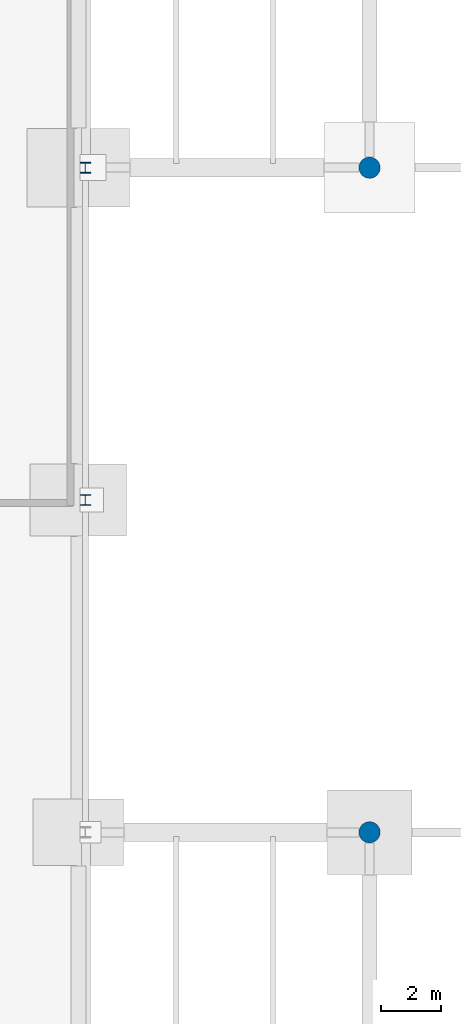
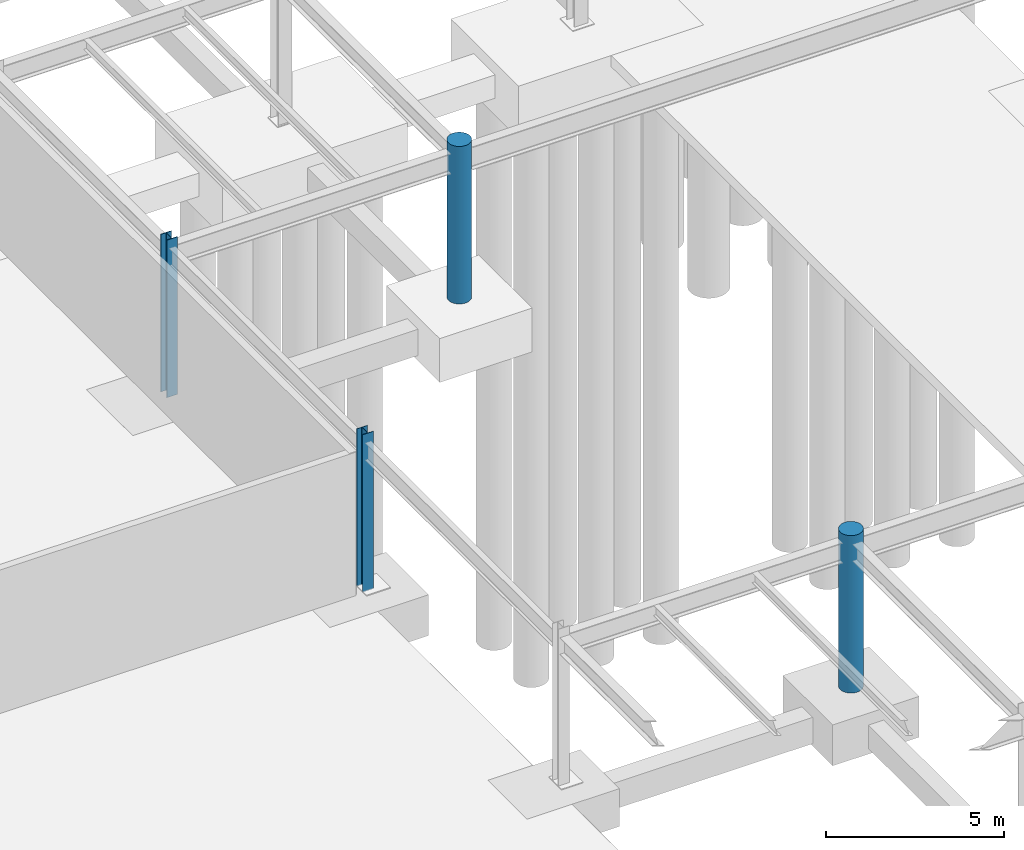
# One storey, part 18 of 50: 4 columns.
"""IFC4 building model written with IfcOpenShell, lengths in metres."""

from ifc_helpers import new_model, si_unit, direction, frame, origin, origin_2d, place, context, subcontext, project, spatial, circle, i_section, extrude, material, material_profile, profile_set, type_object, element, save


model = new_model("IFC4")

# Units and contexts
model_context = context("Model", 3, precision=1e-05, world=origin(), true_north=direction((0.0, 1.0)))
body_context = subcontext(model_context, "Body", "Model", "MODEL_VIEW")
ifc_project = project(units=[si_unit("LENGTHUNIT", "METRE"), si_unit("AREAUNIT", "SQUARE_METRE"), si_unit("VOLUMEUNIT", "CUBIC_METRE"), si_unit("PLANEANGLEUNIT", "RADIAN"), si_unit("MASSUNIT", "GRAM", prefix="KILO")], contexts=[model_context])

# Site, building, storey
site_placement = place(None, origin())
site = spatial("IfcSite", under=ifc_project, at=site_placement, CompositionType="ELEMENT")
building_placement = place(site_placement, origin())
building = spatial("IfcBuilding", under=site, at=building_placement, Name="Yeouljin Market Hall", CompositionType="ELEMENT")
storey_placement = place(building_placement, frame((0.0, 0.0, -5.39990234375)))
storey = spatial("IfcBuildingStorey", under=building, at=storey_placement, Name="B1", CompositionType="ELEMENT", Elevation=-5.39990234375)

# Columns
ifc_material_1 = material(Name="Steel SM355", Category="steel")
ifc_material_profile_1 = material_profile(ifc_material_1, i_section(OverallWidth=0.35009765625, OverallDepth=0.35009765625, WebThickness=0.011962890625, FlangeThickness=0.01904296875, FilletRadius=0.02001953125, at=origin_2d()), Name="H-350x350x12x19")
ifc_profile_set_1 = profile_set([ifc_material_profile_1], Name="Steel SM355")
column_type_1 = type_object("IfcColumnType", Name="Col_H-350x350x12x19", PredefinedType="COLUMN", material=ifc_profile_set_1)
for number, where, z_axis, x_axis, name in (
    (1, (35.590087890625, 57.0, 0.0), (0.0, 0.0, 1.0), (1.0, 0.0, 0.0), "Column G-05-06 (B1)"),
    (2, (35.590087890625, 68.0, 0.0), (0.0, 0.0, 1.0), (1.0, 0.0, 0.0), "Column G-05-07 (B1)"),
):
    element("IfcColumn", number, at=place(storey_placement, frame(where, z_axis=z_axis, x_axis=x_axis)), inside=storey, type_object=column_type_1, Name=name, PredefinedType="COLUMN", context=body_context, shape_type="SweptSolid", body=[
        extrude(i_section(OverallWidth=0.35009765625, OverallDepth=0.35009765625, WebThickness=0.011962890625, FlangeThickness=0.01904296875, FilletRadius=0.02001953125, at=origin_2d()), origin(), (0.0, 0.0, 1.0), 5.39990234375),
    ])
ifc_material_2 = material(Name="Concrete C35/45", Category="concrete")
ifc_material_profile_2 = material_profile(ifc_material_2, circle(Radius=0.35009765625, at=origin_2d()), Name="RC-D700")
ifc_profile_set_2 = profile_set([ifc_material_profile_2], Name="Concrete C35/45")
column_type_2 = type_object("IfcColumnType", Name="Col_RC-D700", PredefinedType="COLUMN", material=ifc_profile_set_2)
for number, where, z_axis, x_axis, name in (
    (3, (45.0, 46.0, 0.0), (0.0, 0.0, 1.0), (1.0, 0.0, 0.0), "Column G-06-05 (B1)"),
    (4, (45.0, 68.0, 0.0), (0.0, 0.0, 1.0), (1.0, 0.0, 0.0), "Column G-06-07 (B1)"),
):
    element("IfcColumn", number, at=place(storey_placement, frame(where, z_axis=z_axis, x_axis=x_axis)), inside=storey, type_object=column_type_2, Name=name, PredefinedType="COLUMN", context=body_context, shape_type="SweptSolid", body=[
        extrude(circle(Radius=0.35009765625, at=origin_2d()), origin(), (0.0, 0.0, 1.0), 5.39990234375),
    ])

save(model, "model.ifc")
